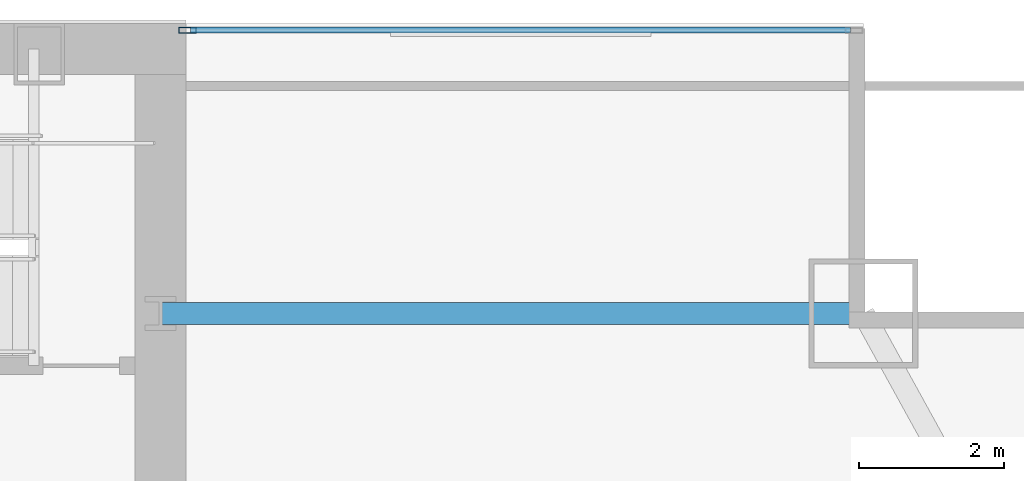
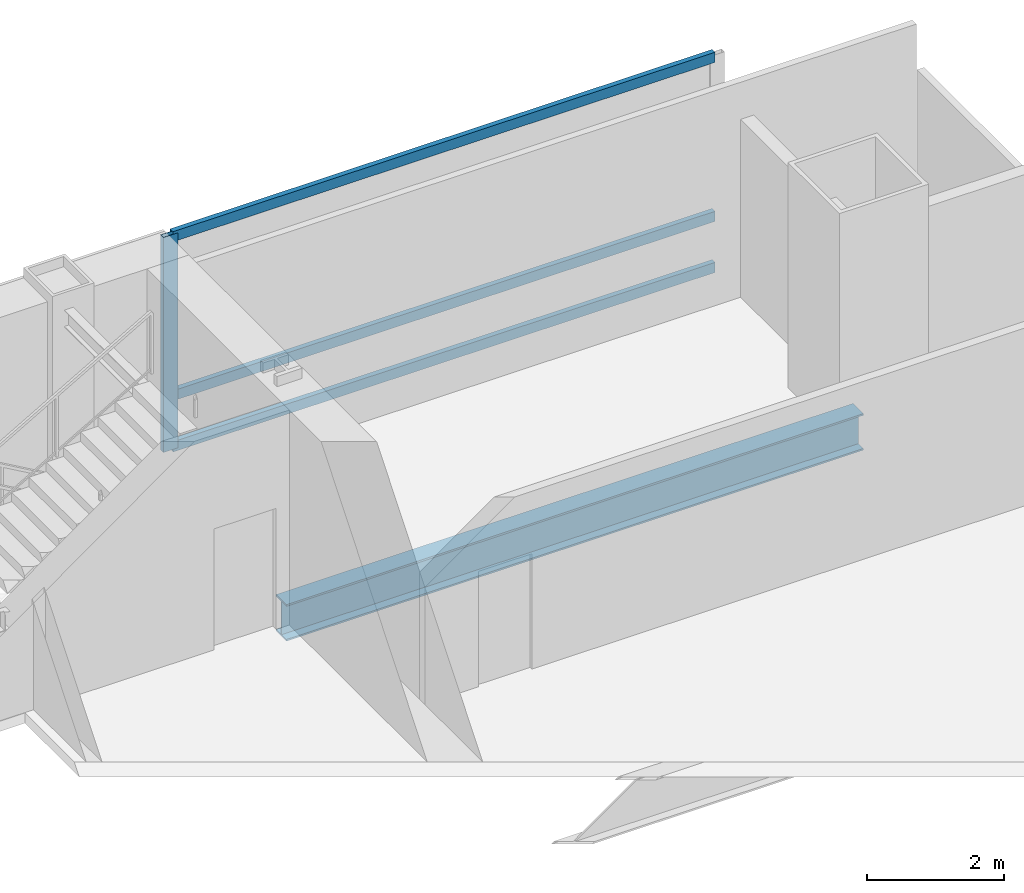
# One storey, part 20 of 30: 4 members, 1 beam, 1 element without a shape of its own.
"""IFC4 building model written with IfcOpenShell, lengths in metres."""

from ifc_helpers import new_model, si_unit, direction, frame, origin, origin_2d, place, context, subcontext, project, spatial, hollow_rectangle, i_section, extrude, material, material_profile, profile_set, type_object, element, aggregate, save


model = new_model("IFC4")

# Units and contexts
model_context = context("Model", 3, precision=1e-05, world=origin(), true_north=direction((0.0, 1.0)))
body_context = subcontext(model_context, "Body", "Model", "MODEL_VIEW")
ifc_project = project(units=[si_unit("LENGTHUNIT", "METRE"), si_unit("AREAUNIT", "SQUARE_METRE"), si_unit("VOLUMEUNIT", "CUBIC_METRE"), si_unit("PLANEANGLEUNIT", "RADIAN"), si_unit("MASSUNIT", "GRAM", prefix="KILO")], contexts=[model_context])

# Site, building, storey
site_placement = place(None, origin())
site = spatial("IfcSite", under=ifc_project, at=site_placement, CompositionType="ELEMENT")
building_placement = place(site_placement, origin())
building = spatial("IfcBuilding", under=site, at=building_placement, Name="Khoronbel Lancet Exchange", CompositionType="ELEMENT")
storey_placement = place(building_placement, frame((0.0, 0.0, 90.60009765625)))
storey = spatial("IfcBuildingStorey", under=building, at=storey_placement, Name="L21", CompositionType="ELEMENT", Elevation=90.60009765625)

# Beam
ifc_material_1 = material(Name="Steel S355", Category="steel")
ifc_material_profile_1 = material_profile(ifc_material_1, i_section(OverallWidth=0.300048828125, OverallDepth=0.64990234375, WebThickness=0.01611328125, FlangeThickness=0.031005859375, at=origin_2d()), Name="HEB 650")
ifc_profile_set_1 = profile_set([ifc_material_profile_1], Name="Steel S355")
beam_type = type_object("IfcBeamType", Name="BM-BSP1", PredefinedType="SPANDREL", material=ifc_profile_set_1)
beam_placement = place(storey_placement, frame((66.050048828125, 49.699951171875, -0.505126953125), z_axis=(-1.0, 0.0, 0.0), x_axis=(0.0, -1.0, 0.0)))
element("IfcBeam", 1, at=beam_placement, inside=storey, type_object=beam_type, Name="Level L21 north flank tie spandrel SP23", PredefinedType="SPANDREL", context=body_context, shape_type="SweptSolid", body=[
    extrude(i_section(OverallWidth=0.300048828125, OverallDepth=0.64990234375, WebThickness=0.01611328125, FlangeThickness=0.031005859375, at=origin_2d()), origin(), (0.0, 0.0, 1.0), 9.699951171875),
])

# Curtain wall, members
ifc_material_2 = material(Name="Low-E Solar Control Insulating Glass", Category="glass")
curtain_wall_type = type_object("IfcCurtainWallType", Name="CW-2", PredefinedType="NOTDEFINED", material=ifc_material_2)
curtain_wall_placement = place(storey_placement, origin())
curtain_wall = element("IfcCurtainWall", 2, at=curtain_wall_placement, inside=storey, type_object=curtain_wall_type, Name="Unitised curtain wall CW-L21-NEFLK", PredefinedType="NOTDEFINED")
ifc_material_3 = material(Name="Bronze-Anodised Aluminium 6063-T6", Category="aluminium")
ifc_material_profile_2 = material_profile(ifc_material_3, hollow_rectangle(XDim=0.0849609375, YDim=0.239990234375, WallThickness=0.006103515625, at=origin_2d()), Name="ALU MULLION 85x240")
ifc_profile_set_2 = profile_set([ifc_material_profile_2], Name="Bronze-Anodised Aluminium 6063-T6")
member_type_1 = type_object("IfcMemberType", Name="MEM-CWM1", PredefinedType="MULLION", material=ifc_profile_set_2)
member_1_placement = place(storey_placement, frame((56.722412109375, 53.610107421875, 0.0), z_axis=(0.0, 0.0, 1.0), x_axis=(0.0, -1.0, 0.0)))
member_1 = element("IfcMember", 3, at=member_1_placement, type_object=member_type_1, Name="CW2 mullion 2", PredefinedType="MULLION", context=body_context, shape_type="SweptSolid", body=[
    extrude(hollow_rectangle(XDim=0.0849609375, YDim=0.239990234375, WallThickness=0.006103515625, at=origin_2d()), origin(), (0.0, 0.0, 1.0), 3.81982421875),
])
ifc_material_profile_3 = material_profile(ifc_material_3, hollow_rectangle(XDim=0.0849609375, YDim=0.179931640625, WallThickness=0.0048828125, at=origin_2d()), Name="ALU TRANSOM 85x180")
ifc_profile_set_3 = profile_set([ifc_material_profile_3], Name="Bronze-Anodised Aluminium 6063-T6")
member_type_2 = type_object("IfcMemberType", Name="MEM-CWT1", PredefinedType="USERDEFINED", material=ifc_profile_set_3)
member_2_placement = place(storey_placement, frame((65.875, 53.610107421875, 0.04248046875), z_axis=(-1.0, 0.0, 0.0), x_axis=(0.0, -1.0, 0.0)))
member_2 = element("IfcMember", 4, at=member_2_placement, type_object=member_type_2, Name="CW2 transom 1.1", ObjectType="TRANSOM", PredefinedType="USERDEFINED", context=body_context, shape_type="SweptSolid", body=[
    extrude(hollow_rectangle(XDim=0.0849609375, YDim=0.179931640625, WallThickness=0.0048828125, at=origin_2d()), origin(), (0.0, 0.0, 1.0), 9.110107421875),
])
member_3_placement = place(storey_placement, frame((65.875, 53.610107421875, 0.949951171875), z_axis=(-1.0, 0.0, 0.0), x_axis=(0.0, -1.0, 0.0)))
member_3 = element("IfcMember", 5, at=member_3_placement, type_object=member_type_2, Name="CW2 transom 1.2", ObjectType="TRANSOM", PredefinedType="USERDEFINED", context=body_context, shape_type="SweptSolid", body=[
    extrude(hollow_rectangle(XDim=0.0849609375, YDim=0.179931640625, WallThickness=0.0048828125, at=origin_2d()), origin(), (0.0, 0.0, 1.0), 9.110107421875),
])
member_4_placement = place(storey_placement, frame((65.875, 53.610107421875, 3.77734375), z_axis=(-1.0, 0.0, 0.0), x_axis=(0.0, -1.0, 0.0)))
member_4 = element("IfcMember", 6, at=member_4_placement, type_object=member_type_2, Name="CW2 transom 1.3", ObjectType="TRANSOM", PredefinedType="USERDEFINED", context=body_context, shape_type="SweptSolid", body=[
    extrude(hollow_rectangle(XDim=0.0849609375, YDim=0.179931640625, WallThickness=0.0048828125, at=origin_2d()), origin(), (0.0, 0.0, 1.0), 9.110107421875),
])
aggregate(curtain_wall, [member_1, member_2, member_3, member_4])

save(model, "model.ifc")
